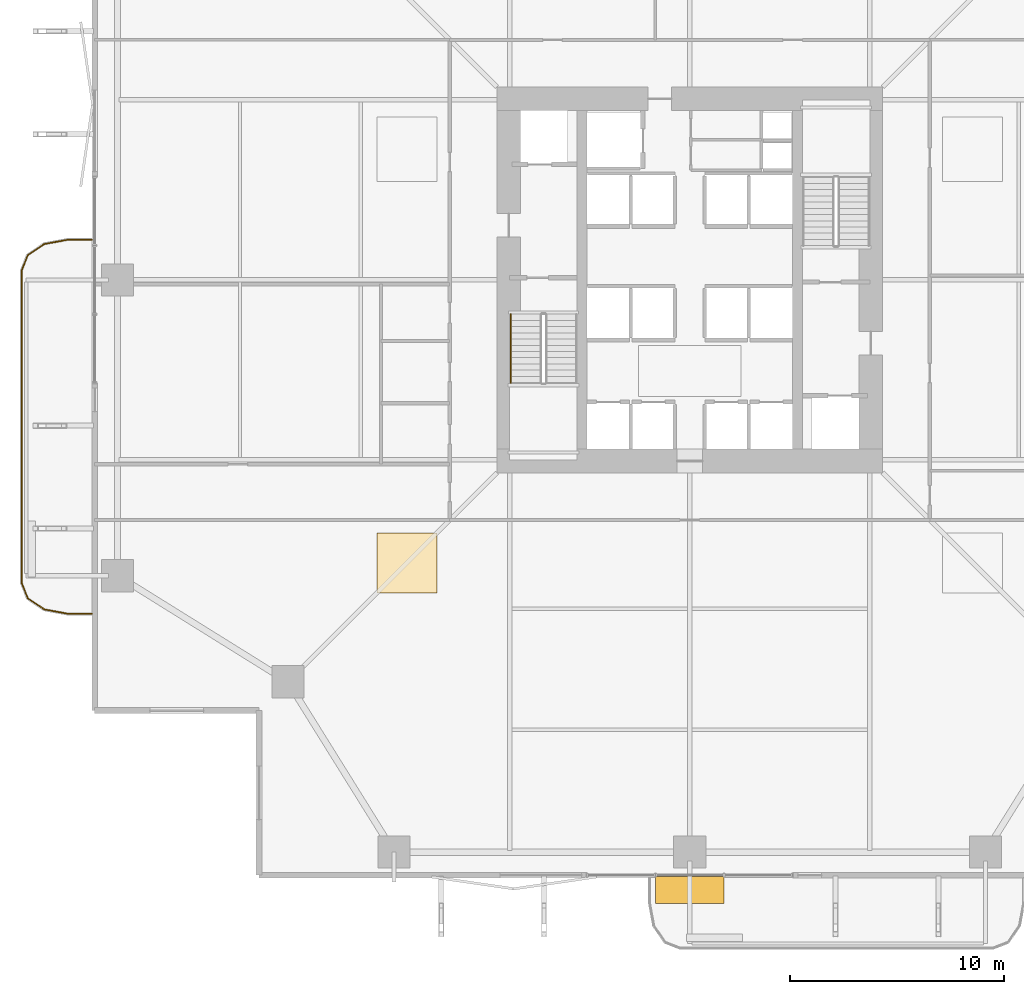
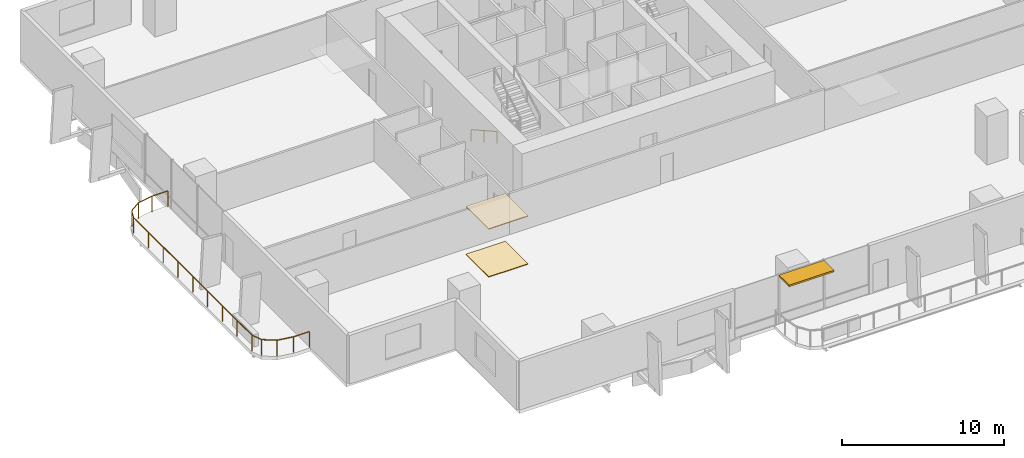
# One storey, part 20 of 23: 2 coverings, 2 railings, 1 shading device.
"""IFC4 building model written with IfcOpenShell, lengths in metres."""

from ifc_helpers import new_model, si_unit, direction, frame, origin, origin_2d, place, context, subcontext, project, spatial, polyline, rectangle, outline, extrude, material, layer, layer_set, type_object, element, save


model = new_model("IFC4")

# Units and contexts
model_context = context("Model", 3, precision=1e-05, world=origin(), true_north=direction((0.0, 1.0)))
body_context = subcontext(model_context, "Body", "Model", "MODEL_VIEW")
ifc_project = project(units=[si_unit("LENGTHUNIT", "METRE"), si_unit("AREAUNIT", "SQUARE_METRE"), si_unit("VOLUMEUNIT", "CUBIC_METRE"), si_unit("PLANEANGLEUNIT", "RADIAN"), si_unit("MASSUNIT", "GRAM", prefix="KILO")], contexts=[model_context])

# Site, building, storey
site_placement = place(None, origin())
site = spatial("IfcSite", under=ifc_project, at=site_placement, CompositionType="ELEMENT")
building_placement = place(site_placement, origin())
building = spatial("IfcBuilding", under=site, at=building_placement, Name="Belovzor Exchange Tower", CompositionType="ELEMENT")
storey_placement = place(building_placement, frame((0.0, 0.0, 57.300048828125)))
storey = spatial("IfcBuildingStorey", under=building, at=storey_placement, Name="L13", CompositionType="ELEMENT", Elevation=57.300048828125)

# Railings
ifc_material_1 = material(Name="Stainless Steel Grade 304", Category="steel")
railing_type_1 = type_object("IfcRailingType", Name="Brushed Stainless Steel Stair Handrail 900", PredefinedType="HANDRAIL", material=ifc_material_1)
railing_1_placement = place(storey_placement, frame((20.449951171875, 27.199951171875, 0.162353515625)))
element("IfcRailing", 1, at=railing_1_placement, inside=storey, type_object=railing_type_1, Name="L13 ST-1 stair handrail 1", PredefinedType="HANDRAIL", context=body_context, shape_type="SweptSolid", body=[
    extrude(rectangle(XDim=0.048095703125, YDim=0.048095703125, at=origin_2d()), frame((0.0, 0.0, 0.8759765625), z_axis=(0.0, -0.8723625253, 0.488859514025), x_axis=(1.0, 0.0, 0.0)), (0.0, 0.0, 1.0), 3.65673828125),
    extrude(rectangle(XDim=0.0419921875, YDim=0.0419921875, at=origin_2d()), origin(), (0.0, 0.0, 1.0), 0.851806640625),
    extrude(rectangle(XDim=0.0419921875, YDim=0.0419921875, at=origin_2d()), frame((0.0, -1.594970703125, 0.893798828125)), (0.0, 0.0, 1.0), 0.851806640625),
    extrude(rectangle(XDim=0.0419921875, YDim=0.0419921875, at=origin_2d()), frame((0.0, -3.18994140625, 1.78759765625)), (0.0, 0.0, 1.0), 0.851806640625),
])
ifc_material_2 = material(Name="Stainless Steel and Laminated Safety Glass", Category="steel")
railing_type_2 = type_object("IfcRailingType", Name="Laminated Glass & Stainless Steel Balcony Balustrade 1200", PredefinedType="BALUSTRADE", material=ifc_material_2)
railing_2_placement = place(storey_placement, frame((0.889892578125, 30.669921875, 0.0)))
element("IfcRailing", 2, at=railing_2_placement, inside=storey, type_object=railing_type_2, Name="GR-1 Balcony Balustrade L13 West", PredefinedType="BALUSTRADE", context=body_context, shape_type="SweptSolid", body=[
    extrude(rectangle(XDim=0.048095703125, YDim=0.048095703125, at=origin_2d()), frame((0.0, 0.0, 1.17578125), z_axis=(-1.0, 0.0, 0.0), x_axis=(0.0, -1.0, 0.0)), (0.0, 0.0, 1.0), 1.1328125),
    extrude(rectangle(XDim=0.048095703125, YDim=0.048095703125, at=origin_2d()), frame((-1.1328125, 0.0, 1.17578125), z_axis=(-0.983651385113, -0.180083182347, 0.0), x_axis=(0.180083182347, -0.983651385113, 0.0)), (0.0, 0.0, 1.0), 1.093994140625),
    extrude(rectangle(XDim=0.048095703125, YDim=0.048095703125, at=origin_2d()), frame((-2.208984375, -0.197021484375, 1.17578125), z_axis=(-0.826614792125, -0.562768145367, 0.0), x_axis=(0.562768145367, -0.826614792125, 0.0)), (0.0, 0.0, 1.0), 0.9326171875),
    extrude(rectangle(XDim=0.048095703125, YDim=0.048095703125, at=origin_2d()), frame((-2.97998046875, -0.721923828125, 1.17578125), z_axis=(-0.365612923861, -0.930766990125, 0.0), x_axis=(0.930766990125, -0.365612923861, 0.0)), (0.0, 0.0, 1.0), 0.765869140625),
    extrude(rectangle(XDim=0.048095703125, YDim=0.048095703125, at=origin_2d()), frame((-3.260009765625, -1.434814453125, 1.17578125), z_axis=(0.0, -1.0, 0.0), x_axis=(1.0, 0.0, 0.0)), (0.0, 0.0, 1.0), 14.570068359375),
    extrude(rectangle(XDim=0.048095703125, YDim=0.048095703125, at=origin_2d()), frame((-3.260009765625, -16.0048828125, 1.17578125), z_axis=(0.365504480807, -0.930809580156, 0.0), x_axis=(0.930809580156, 0.365504480807, 0.0)), (0.0, 0.0, 1.0), 0.76611328125),
    extrude(rectangle(XDim=0.048095703125, YDim=0.048095703125, at=origin_2d()), frame((-2.97998046875, -16.718017578125, 1.17578125), z_axis=(0.826614792125, -0.562768145367, 0.0), x_axis=(0.562768145367, 0.826614792125, 0.0)), (0.0, 0.0, 1.0), 0.9326171875),
    extrude(rectangle(XDim=0.048095703125, YDim=0.048095703125, at=origin_2d()), frame((-2.208984375, -17.242919921875, 1.17578125), z_axis=(0.983651385113, -0.180083182347, 0.0), x_axis=(0.180083182347, 0.983651385113, 0.0)), (0.0, 0.0, 1.0), 1.093994140625),
    extrude(rectangle(XDim=0.048095703125, YDim=0.048095703125, at=origin_2d()), frame((-1.1328125, -17.43994140625, 1.17578125), z_axis=(1.0, 0.0, 0.0), x_axis=(0.0, 1.0, 0.0)), (0.0, 0.0, 1.0), 1.1328125),
    extrude(rectangle(XDim=0.0419921875, YDim=0.0419921875, at=origin_2d()), origin(), (0.0, 0.0, 1.0), 1.15185546875),
    extrude(rectangle(XDim=0.0419921875, YDim=0.0419921875, at=origin_2d()), frame((-1.1328125, 0.0, 0.0)), (0.0, 0.0, 1.0), 1.15185546875),
    extrude(rectangle(XDim=0.0419921875, YDim=0.0419921875, at=origin_2d()), frame((-2.208984375, -0.197021484375, 0.0)), (0.0, 0.0, 1.0), 1.15185546875),
    extrude(rectangle(XDim=0.0419921875, YDim=0.0419921875, at=origin_2d()), frame((-2.97998046875, -0.721923828125, 0.0)), (0.0, 0.0, 1.0), 1.15185546875),
    extrude(rectangle(XDim=0.0419921875, YDim=0.0419921875, at=origin_2d()), frame((-3.260009765625, -1.434814453125, 0.0)), (0.0, 0.0, 1.0), 1.15185546875),
    extrude(rectangle(XDim=0.0419921875, YDim=0.0419921875, at=origin_2d()), frame((-3.260009765625, -3.256103515625, 0.0)), (0.0, 0.0, 1.0), 1.15185546875),
    extrude(rectangle(XDim=0.0419921875, YDim=0.0419921875, at=origin_2d()), frame((-3.260009765625, -5.077392578125, 0.0)), (0.0, 0.0, 1.0), 1.15185546875),
    extrude(rectangle(XDim=0.0419921875, YDim=0.0419921875, at=origin_2d()), frame((-3.260009765625, -6.898681640625, 0.0)), (0.0, 0.0, 1.0), 1.15185546875),
    extrude(rectangle(XDim=0.0419921875, YDim=0.0419921875, at=origin_2d()), frame((-3.260009765625, -8.7197265625, 0.0)), (0.0, 0.0, 1.0), 1.15185546875),
    extrude(rectangle(XDim=0.0419921875, YDim=0.0419921875, at=origin_2d()), frame((-3.260009765625, -10.541015625, 0.0)), (0.0, 0.0, 1.0), 1.15185546875),
    extrude(rectangle(XDim=0.0419921875, YDim=0.0419921875, at=origin_2d()), frame((-3.260009765625, -12.3623046875, 0.0)), (0.0, 0.0, 1.0), 1.15185546875),
    extrude(rectangle(XDim=0.0419921875, YDim=0.0419921875, at=origin_2d()), frame((-3.260009765625, -14.18359375, 0.0)), (0.0, 0.0, 1.0), 1.15185546875),
    extrude(rectangle(XDim=0.0419921875, YDim=0.0419921875, at=origin_2d()), frame((-3.260009765625, -16.0048828125, 0.0)), (0.0, 0.0, 1.0), 1.15185546875),
    extrude(rectangle(XDim=0.0419921875, YDim=0.0419921875, at=origin_2d()), frame((-2.97998046875, -16.718017578125, 0.0)), (0.0, 0.0, 1.0), 1.15185546875),
    extrude(rectangle(XDim=0.0419921875, YDim=0.0419921875, at=origin_2d()), frame((-2.208984375, -17.242919921875, 0.0)), (0.0, 0.0, 1.0), 1.15185546875),
    extrude(rectangle(XDim=0.0419921875, YDim=0.0419921875, at=origin_2d()), frame((-1.1328125, -17.43994140625, 0.0)), (0.0, 0.0, 1.0), 1.15185546875),
    extrude(rectangle(XDim=0.0419921875, YDim=0.0419921875, at=origin_2d()), frame((0.0, -17.43994140625, 0.0)), (0.0, 0.0, 1.0), 1.15185546875),
])

# Coverings
ifc_material_3 = material(Name="Perforated Powder-Coated Aluminium", Category="aluminium")
ifc_layer_1 = layer(ifc_material_3, 0.06005859375)
ifc_layer_set_1 = layer_set([ifc_layer_1], Name="Perforated Powder-Coated Aluminium")
covering_type_1 = type_object("IfcCoveringType", Name="Perforated Acoustic Metal Tile Suspended Ceiling 60", PredefinedType="CEILING", material=ifc_layer_set_1)
covering_1_placement = place(storey_placement, frame((0.0, 0.0, 3.58984375)))
element("IfcCovering", 3, at=covering_1_placement, inside=storey, type_object=covering_type_1, Name="CLG-AC60 Suspended Ceiling CLG-L13-Z0", PredefinedType="CEILING", context=body_context, shape_type="SweptSolid", body=[
    extrude(outline(polyline([(14.199951171875, 14.199951171875), (17.0, 14.199951171875), (17.0, 17.0), (14.199951171875, 17.0), (14.199951171875, 14.199951171875)])), origin(), (0.0, 0.0, 1.0), 0.06005859375),
])
ifc_material_4 = material(Name="Polished Natural Granite Tile", Category="masonry")
ifc_layer_2 = layer(ifc_material_4, 0.050048828125)
ifc_layer_set_2 = layer_set([ifc_layer_2], Name="Polished Natural Granite Tile")
covering_type_2 = type_object("IfcCoveringType", Name="Polished Karelian Granite & Raised Access Floor Finish 50", PredefinedType="FLOORING", material=ifc_layer_set_2)
covering_2_placement = place(storey_placement, origin())
element("IfcCovering", 4, at=covering_2_placement, inside=storey, type_object=covering_type_2, Name="FLR-GR50 Floor Finish FLR-L13-Z0", PredefinedType="FLOORING", context=body_context, shape_type="SweptSolid", body=[
    extrude(outline(polyline([(14.199951171875, 14.199951171875), (17.0, 14.199951171875), (17.0, 17.0), (14.199951171875, 17.0), (14.199951171875, 14.199951171875)])), origin(), (0.0, 0.0, 1.0), 0.050048828125),
])

# Shading device
ifc_material_5 = material(Name="Extruded Architectural Terracotta", Category="masonry")
ifc_layer_3 = layer(ifc_material_5, 0.1201171875)
ifc_layer_set_3 = layer_set([ifc_layer_3], Name="Extruded Architectural Terracotta")
shading_device_type = type_object("IfcShadingDeviceType", Name="Streamline Terracotta Horizontal Sunshade Hood 1250", PredefinedType="AWNING", material=ifc_layer_set_3)
shading_device_placement = place(storey_placement, frame((28.800048828125, 0.3349609375, 3.52978515625), z_axis=(0.0, 0.0, 1.0), x_axis=(1.0, 0.0, 0.0)))
element("IfcShadingDevice", 5, at=shading_device_placement, inside=storey, type_object=shading_device_type, Name="SHD-TC125 Terracotta Sunshade L13 S", PredefinedType="AWNING", context=body_context, shape_type="SweptSolid", body=[
    extrude(rectangle(XDim=3.199951171875, YDim=1.25, at=origin_2d()), origin(), (0.0, 0.0, 1.0), 0.1201171875),
])

save(model, "model.ifc")
